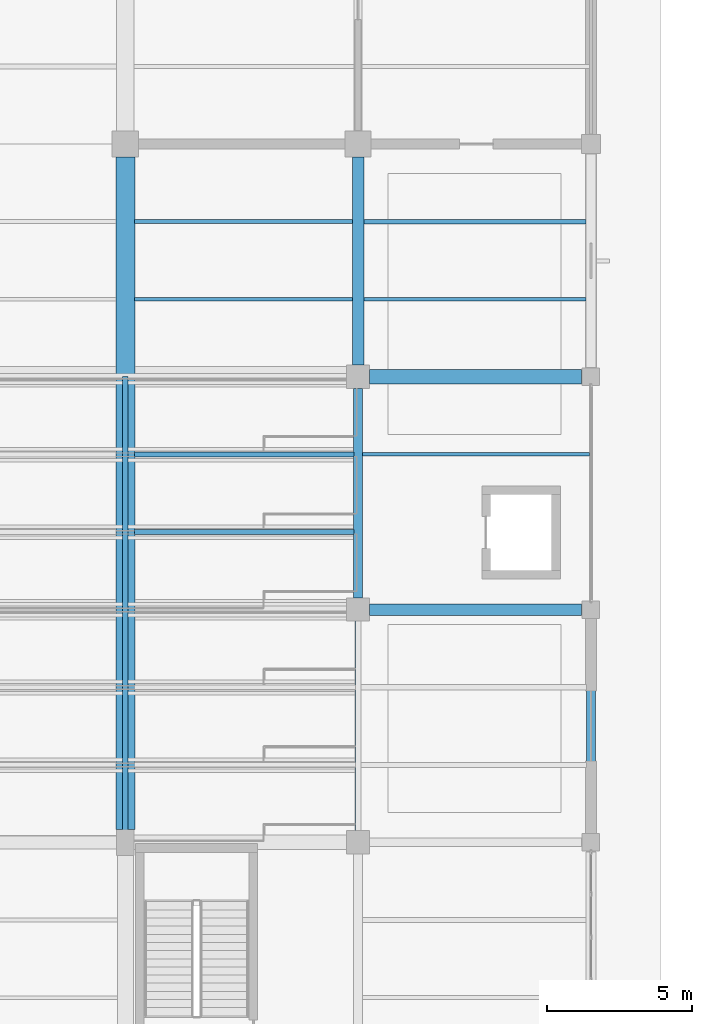
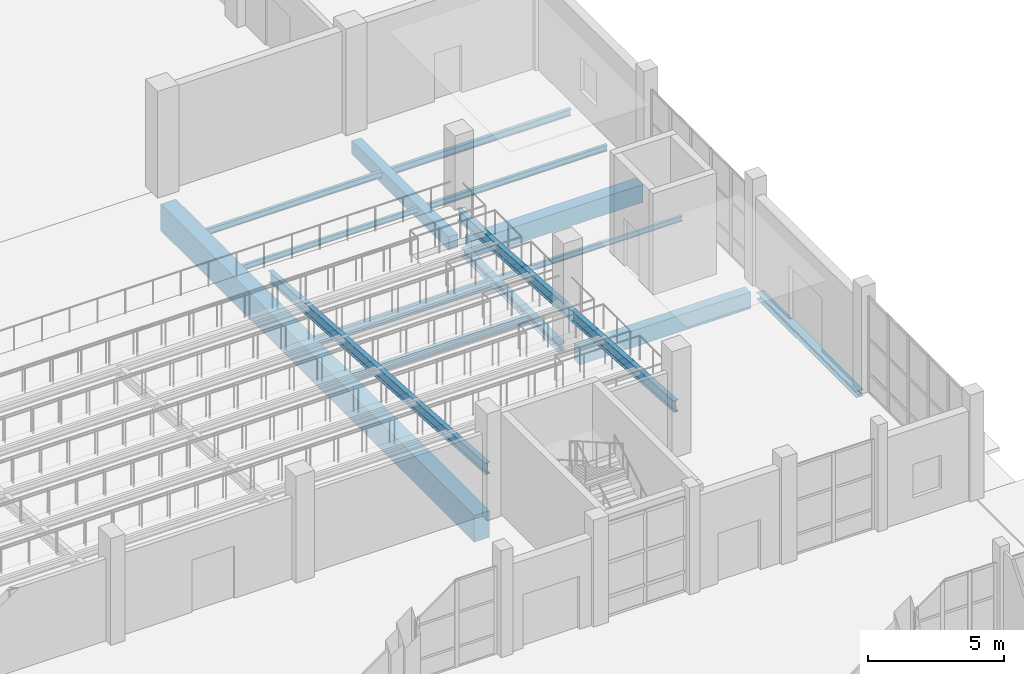
# One storey, part 39 of 156: 15 beams.
"""IFC4 building model written with IfcOpenShell, lengths in metres."""

import ifcopenshell
import ifcopenshell.guid

model = None  # the IFC model being written
_history = None  # IfcOwnerHistory: only IFC2X3 demands one
_inside = {}  # id of a spatial element -> (the spatial element, [elements in it])
_under = {}  # id of a project, library or spatial element -> (it, [spatial elements below it])
_declared = {}  # id of a project -> (the project, [libraries it declares])
_typed = {}  # id of a type object -> (the type object, [elements of that type])
_made_of = {}  # id of a material, layer set ... -> (it, [elements and type objects made of it])


def new_model(schema):
    """Start an empty IFC model of exactly this schema.

    Asked for "IFC4X3", IfcOpenShell would pick the latest addendum, in which some entities
    have other attributes; the version numbers below select the first issue.
    IFC2X3 requires an IfcOwnerHistory on every rooted entity: one is made here for all.
    """
    global model, _history
    if schema == "IFC4X3":
        model = ifcopenshell.file(schema_version=(4, 3, 0, 0))
    else:
        model = ifcopenshell.file(schema=schema)
    _inside.clear()
    _under.clear()
    _declared.clear()
    _typed.clear()
    _made_of.clear()
    _history = None
    if model.schema == "IFC2X3":
        org = make("IfcOrganization", Name="unknown")
        user = make(
            "IfcPersonAndOrganization",
            ThePerson=make("IfcPerson", FamilyName="unknown"),
            TheOrganization=org,
        )
        app = make(
            "IfcApplication",
            ApplicationDeveloper=org,
            Version="unknown",
            ApplicationFullName="unknown",
            ApplicationIdentifier="unknown",
        )
        _history = make(
            "IfcOwnerHistory",
            OwningUser=user,
            OwningApplication=app,
            ChangeAction="ADDED",
            CreationDate=0,
        )
    return model


def make(cls, **values):
    """One entity of the class cls with the attributes given. An attribute that is None is left unset."""
    return model.create_entity(
        cls, **{name: value for name, value in values.items() if value is not None}
    )


def rooted(cls, **values):
    """An entity with a GlobalId (a new one), such as an element, a storey or a relation."""
    return make(cls, GlobalId=ifcopenshell.guid.new(), OwnerHistory=_history, **values)


def si_unit(unit_type, name, prefix=None):
    """IfcSIUnit, for example si_unit("LENGTHUNIT", "METRE", prefix="MILLI")."""
    return make("IfcSIUnit", UnitType=unit_type, Prefix=prefix, Name=name)


def assignment(units):
    """IfcUnitAssignment: the units of a project."""
    return None if units is None else make("IfcUnitAssignment", Units=units)


def point(xyz):
    """IfcCartesianPoint."""
    return None if xyz is None else make("IfcCartesianPoint", Coordinates=xyz)


def direction(xyz):
    """IfcDirection."""
    return None if xyz is None else make("IfcDirection", DirectionRatios=xyz)


def frame(location, z_axis=None, x_axis=None):
    """IfcAxis2Placement3D, a coordinate frame: its origin and axes. An axis left out is left unset."""
    return make(
        "IfcAxis2Placement3D",
        Location=point(location),
        Axis=direction(z_axis),
        RefDirection=direction(x_axis),
    )


def frame_2d(location, x_axis=None):
    """IfcAxis2Placement2D, a coordinate frame in the plane: its origin and x axis."""
    return make(
        "IfcAxis2Placement2D", Location=point(location), RefDirection=direction(x_axis)
    )


def origin():
    """The frame at (0, 0, 0) with its axes left unset."""
    return frame((0.0, 0.0, 0.0))


def origin_2d():
    """The frame at (0, 0) in the plane with its x axis left unset."""
    return frame_2d((0.0, 0.0))


def place(relative_to, where):
    """IfcLocalPlacement: puts the frame where relative to a parent placement (None: the world)."""
    return make(
        "IfcLocalPlacement", PlacementRelTo=relative_to, RelativePlacement=where
    )


def context(
    kind, dimensions, precision=None, world=None, true_north=None, identifier=None
):
    """IfcGeometricRepresentationContext, for example the 3D "Model" context."""
    return make(
        "IfcGeometricRepresentationContext",
        ContextIdentifier=identifier,
        ContextType=kind,
        CoordinateSpaceDimension=dimensions,
        Precision=precision,
        WorldCoordinateSystem=world,
        TrueNorth=true_north,
    )


def subcontext(parent, identifier, kind, view, scale=None):
    """IfcGeometricRepresentationSubContext, for example "Body" below "Model"."""
    return make(
        "IfcGeometricRepresentationSubContext",
        ContextIdentifier=identifier,
        ContextType=kind,
        ParentContext=parent,
        TargetScale=scale,
        TargetView=view,
    )


def project(units=None, contexts=None):
    """IfcProject with its units and contexts."""
    return rooted(
        "IfcProject",
        Name="project",
        RepresentationContexts=contexts,
        UnitsInContext=assignment(units),
    )


def spatial(cls, under=None, at=None, **own):
    """A site, building, storey or space (cls), placed at a placement, below another one or the project."""
    s = rooted(cls, ObjectPlacement=at, **own)
    if under is not None:
        _under.setdefault(under.id(), (under, []))[1].append(s)
    return s


def profile(cls, at=None, kind="AREA", **sizes):
    """A parametric profile (cls). Its sizes go by their IFC names, for example OverallWidth=200.0."""
    return make(cls, ProfileType=kind, Position=at, **sizes)


def rectangle(**sizes):
    """IfcRectangleProfileDef."""
    return profile("IfcRectangleProfileDef", **sizes)


def i_section(**sizes):
    """IfcIShapeProfileDef."""
    return profile("IfcIShapeProfileDef", **sizes)


def extrude(swept, where, along, depth):
    """IfcExtrudedAreaSolid: the profile swept, set in the frame where, extruded along a direction by depth."""
    return make(
        "IfcExtrudedAreaSolid",
        SweptArea=swept,
        Position=where,
        ExtrudedDirection=direction(along),
        Depth=depth,
    )


def shape(context_of_items, identifier, shape_type, items):
    """IfcShapeRepresentation: the items that make up one representation, for example the "Body"."""
    return make(
        "IfcShapeRepresentation",
        ContextOfItems=context_of_items,
        RepresentationIdentifier=identifier,
        RepresentationType=shape_type,
        Items=items,
    )


def material(Name=None, Category=None):
    """IfcMaterial."""
    return make("IfcMaterial", Name=Name, Category=Category)


def material_profile(
    of_material, cross_section, Name=None, Category=None, Priority=None
):
    """IfcMaterialProfile: a cross section and its material."""
    return make(
        "IfcMaterialProfile",
        Name=Name,
        Material=of_material,
        Profile=cross_section,
        Priority=Priority,
        Category=Category,
    )


def profile_set(profiles, Name=None, composite=None):
    """IfcMaterialProfileSet."""
    return make(
        "IfcMaterialProfileSet",
        Name=Name,
        MaterialProfiles=profiles,
        CompositeProfile=composite,
    )


def made_of(thing, what):
    """Note that an element or type object is made of a material, layer set ...; save() writes the relation."""
    if what is not None:
        _made_of.setdefault(what.id(), (what, []))[1].append(thing)
    return thing


def type_object(cls, material=None, **own):
    """A type object (cls), such as IfcWallType, which elements share."""
    return made_of(rooted(cls, **own), material)


def element(
    cls,
    number,
    at=None,
    inside=None,
    cuts=None,
    type_object=None,
    material=None,
    context=None,
    identifier="Body",
    shape_type=None,
    held_by="IfcProductDefinitionShape",
    body=None,
    shapes=None,
    **own,
):
    """One element of the class cls, such as IfcWall. Its Tag is "e" and its number.

    at: its placement. inside: the storey or other place that contains it. cuts: it is an
    opening in that element (IfcRelVoidsElement). A single representation is given by context,
    identifier, shape_type and body (its items); several are given by shapes. held_by: the class
    of the entity that holds the representations. save() writes the other relations.
    """
    e = rooted(cls, Tag="e%d" % number, ObjectPlacement=at, **own)
    if body is not None:
        shapes = [shape(context, identifier, shape_type, body)]
    if shapes is not None:
        e.Representation = make(held_by, Representations=shapes)
    if inside is not None:
        _inside.setdefault(inside.id(), (inside, []))[1].append(e)
    if cuts is not None:
        rooted(
            "IfcRelVoidsElement", RelatingBuildingElement=cuts, RelatedOpeningElement=e
        )
    if type_object is not None:
        _typed.setdefault(type_object.id(), (type_object, []))[1].append(e)
    return made_of(e, material)


def aggregate(whole, parts):
    """IfcRelAggregates: a whole, such as a stair, and the parts it consists of."""
    return rooted("IfcRelAggregates", RelatingObject=whole, RelatedObjects=parts)


def save(model, path):
    """Write the relations noted so far, then the file.

    IfcRelAggregates (storeys below a building ...), IfcRelContainedInSpatialStructure (elements
    in a storey), IfcRelDefinesByType, IfcRelAssociatesMaterial and IfcRelDeclares: one each for
    every whole, place, type object, material and project.
    """
    for whole, parts in _under.values():
        aggregate(whole, parts)
    for where, things in _inside.values():
        rooted(
            "IfcRelContainedInSpatialStructure",
            RelatedElements=things,
            RelatingStructure=where,
        )
    for kind, things in _typed.values():
        rooted("IfcRelDefinesByType", RelatedObjects=things, RelatingType=kind)
    for what, things in _made_of.values():
        rooted("IfcRelAssociatesMaterial", RelatedObjects=things, RelatingMaterial=what)
    for by, libraries in _declared.values():
        rooted("IfcRelDeclares", RelatingContext=by, RelatedDefinitions=libraries)
    model.write(path)


model = new_model("IFC4")

# Units and contexts
model_context = context("Model", 3, precision=1e-05, world=origin(), true_north=direction((0.0, 1.0)))
body_context = subcontext(model_context, "Body", "Model", "MODEL_VIEW")
ifc_project = project(units=[si_unit("LENGTHUNIT", "METRE"), si_unit("AREAUNIT", "SQUARE_METRE"), si_unit("VOLUMEUNIT", "CUBIC_METRE"), si_unit("PLANEANGLEUNIT", "RADIAN"), si_unit("MASSUNIT", "GRAM", prefix="KILO")], contexts=[model_context])

# Site, building, storey
site_placement = place(None, origin())
site = spatial("IfcSite", under=ifc_project, at=site_placement, CompositionType="ELEMENT")
building_placement = place(site_placement, origin())
building = spatial("IfcBuilding", under=site, at=building_placement, Name="Luwemba Playhouse", CompositionType="ELEMENT")
storey_placement = place(building_placement, origin())
storey = spatial("IfcBuildingStorey", under=building, at=storey_placement, Name="L00", CompositionType="ELEMENT", Elevation=0.0)

# Beams
ifc_material_1 = material(Name="Concrete C40/50", Category="concrete")
ifc_material_profile_1 = material_profile(ifc_material_1, rectangle(XDim=0.39990234375, YDim=0.60009765625, at=origin_2d()))
ifc_profile_set_1 = profile_set([ifc_material_profile_1], Name="Concrete C40/50")
beam_type_1 = type_object("IfcBeamType", Name="BM-RB01", PredefinedType="BEAM", material=ifc_profile_set_1)
beam_1_placement = place(storey_placement, frame((44.0, 60.39990234375, -0.60009765625), z_axis=(0.0, 1.0, 0.0), x_axis=(-1.0, 0.0, 0.0)))
element("IfcBeam", 1, at=beam_1_placement, inside=storey, type_object=beam_type_1, Name="L00 transverse girder 0036", PredefinedType="BEAM", context=body_context, shape_type="SweptSolid", body=[
    extrude(rectangle(XDim=0.39990234375, YDim=0.60009765625, at=origin_2d()), origin(), (0.0, 0.0, 1.0), 7.150146484375),
])
ifc_material_profile_2 = material_profile(ifc_material_1, rectangle(XDim=0.39990234375, YDim=0.75, at=origin_2d()))
ifc_profile_set_2 = profile_set([ifc_material_profile_2], Name="Concrete C40/50")
beam_type_2 = type_object("IfcBeamType", Name="BM-RB03", PredefinedType="BEAM", material=ifc_profile_set_2)
beam_2_placement = place(storey_placement, frame((44.39990234375, 52.0, -0.675048828125), z_axis=(1.0, 0.0, 0.0), x_axis=(0.0, 1.0, 0.0)))
element("IfcBeam", 2, at=beam_2_placement, inside=storey, type_object=beam_type_2, Name="L00 grid girder 0015", PredefinedType="BEAM", context=body_context, shape_type="SweptSolid", body=[
    extrude(rectangle(XDim=0.39990234375, YDim=0.75, at=origin_2d()), origin(), (0.0, 0.0, 1.0), 7.275146484375),
])
ifc_material_profile_3 = material_profile(ifc_material_1, rectangle(XDim=0.5, YDim=0.800048828125, at=origin_2d()))
ifc_profile_set_3 = profile_set([ifc_material_profile_3], Name="Concrete C40/50")
beam_type_3 = type_object("IfcBeamType", Name="BM-RB06", PredefinedType="BEAM", material=ifc_profile_set_3)
beam_3_placement = place(storey_placement, frame((44.39990234375, 60.0, -0.699951171875), z_axis=(1.0, 0.0, 0.0), x_axis=(0.0, 1.0, 0.0)))
element("IfcBeam", 3, at=beam_3_placement, inside=storey, type_object=beam_type_3, Name="L00 grid girder 0018", PredefinedType="BEAM", context=body_context, shape_type="SweptSolid", body=[
    extrude(rectangle(XDim=0.5, YDim=0.800048828125, at=origin_2d()), origin(), (0.0, 0.0, 1.0), 7.275146484375),
])
ifc_material_profile_4 = material_profile(ifc_material_1, rectangle(XDim=0.64990234375, YDim=1.199951171875, at=origin_2d()))
ifc_profile_set_4 = profile_set([ifc_material_profile_4], Name="Concrete C40/50")
beam_type_4 = type_object("IfcBeamType", Name="BM-RB11", PredefinedType="BEAM", material=ifc_profile_set_4)
beam_4_placement = place(storey_placement, frame((36.0, 44.449951171875, -0.89990234375), z_axis=(0.0, 1.0, 0.0), x_axis=(-1.0, 0.0, 0.0)))
element("IfcBeam", 4, at=beam_4_placement, inside=storey, type_object=beam_type_4, Name="L00 transverse girder 0032", PredefinedType="BEAM", context=body_context, shape_type="SweptSolid", body=[
    extrude(rectangle(XDim=0.64990234375, YDim=1.199951171875, at=origin_2d()), origin(), (0.0, 0.0, 1.0), 23.10009765625),
])
ifc_material_2 = material(Name="Steel S355", Category="steel")
ifc_material_profile_5 = material_profile(ifc_material_2, i_section(OverallWidth=0.199951171875, OverallDepth=0.5, WebThickness=0.01025390625, FlangeThickness=0.01611328125, FilletRadius=0.02099609375, at=origin_2d()))
ifc_profile_set_5 = profile_set([ifc_material_profile_5], Name="Steel S355")
beam_type_5 = type_object("IfcBeamType", Name="BM-RK1", PredefinedType="USERDEFINED", material=ifc_profile_set_5)
for number, where, z_axis, x_axis, name in (
    (5, (36.0, 44.0, 1.97998046875), (0.0, 0.997887107976, -0.064971684108), (-1.0, 0.0, 0.0), "RAKER girder Stalls 04"),
    (6, (44.0, 44.0, 1.97998046875), (0.0, 0.997887107976, -0.064971684108), (-1.0, 0.0, 0.0), "RAKER girder Stalls 05"),
):
    element("IfcBeam", number, at=place(storey_placement, frame(where, z_axis=z_axis, x_axis=x_axis)), inside=storey, type_object=beam_type_5, Name=name, ObjectType="RAKER", PredefinedType="USERDEFINED", context=body_context, shape_type="SweptSolid", body=[
        extrude(i_section(OverallWidth=0.199951171875, OverallDepth=0.5, WebThickness=0.01025390625, FlangeThickness=0.01611328125, FilletRadius=0.02099609375, at=origin_2d()), origin(), (0.0, 0.0, 1.0), 16.033935546875),
    ])
ifc_material_profile_6 = material_profile(ifc_material_2, i_section(OverallWidth=0.300048828125, OverallDepth=0.360107421875, WebThickness=0.012451171875, FlangeThickness=0.0224609375, FilletRadius=0.027099609375, at=origin_2d()))
ifc_profile_set_6 = profile_set([ifc_material_profile_6], Name="Steel S355")
beam_type_6 = type_object("IfcBeamType", Name="BM-SB09", PredefinedType="BEAM", material=ifc_profile_set_6)
beam_5_placement = place(storey_placement, frame((44.0, 52.39990234375, -0.47998046875), z_axis=(0.0, 1.0, 0.0), x_axis=(-1.0, 0.0, 0.0)))
element("IfcBeam", 7, at=beam_5_placement, inside=storey, type_object=beam_type_6, Name="L00 transverse girder 0035", PredefinedType="BEAM", context=body_context, shape_type="SweptSolid", body=[
    extrude(i_section(OverallWidth=0.300048828125, OverallDepth=0.360107421875, WebThickness=0.012451171875, FlangeThickness=0.0224609375, FilletRadius=0.027099609375, at=origin_2d()), origin(), (0.0, 0.0, 1.0), 7.2001953125),
])
ifc_material_profile_7 = material_profile(ifc_material_2, i_section(OverallWidth=0.1201171875, OverallDepth=0.239990234375, WebThickness=0.006103515625, FlangeThickness=0.009765625, FilletRadius=0.014892578125, at=origin_2d()))
ifc_profile_set_7 = profile_set([ifc_material_profile_7], Name="Steel S355")
beam_type_7 = type_object("IfcBeamType", Name="BM-SJ03", PredefinedType="JOIST", material=ifc_profile_set_7)
beam_6_placement = place(storey_placement, frame((36.321044921875, 62.666748046875, -0.419921875), z_axis=(1.0, 0.0, 0.0), x_axis=(0.0, 1.0, 0.0)))
element("IfcBeam", 8, at=beam_6_placement, inside=storey, type_object=beam_type_7, Name="L00 composite floor joist 0035", PredefinedType="JOIST", context=body_context, shape_type="SweptSolid", body=[
    extrude(i_section(OverallWidth=0.1201171875, OverallDepth=0.239990234375, WebThickness=0.006103515625, FlangeThickness=0.009765625, FilletRadius=0.014892578125, at=origin_2d()), origin(), (0.0, 0.0, 1.0), 7.48291015625),
])
beam_7_placement = place(storey_placement, frame((44.14599609375, 57.333251953125, -0.419921875), z_axis=(1.0, 0.0, 0.0), x_axis=(0.0, 1.0, 0.0)))
element("IfcBeam", 9, at=beam_7_placement, inside=storey, type_object=beam_type_7, Name="L00 composite floor joist 0041", PredefinedType="JOIST", context=body_context, shape_type="SweptSolid", body=[
    extrude(i_section(OverallWidth=0.1201171875, OverallDepth=0.239990234375, WebThickness=0.006103515625, FlangeThickness=0.009765625, FilletRadius=0.014892578125, at=origin_2d()), origin(), (0.0, 0.0, 1.0), 7.80810546875),
])
ifc_material_profile_8 = material_profile(ifc_material_2, i_section(OverallWidth=0.135009765625, OverallDepth=0.27001953125, WebThickness=0.006591796875, FlangeThickness=0.01025390625, FilletRadius=0.014892578125, at=origin_2d()))
ifc_profile_set_8 = profile_set([ifc_material_profile_8], Name="Steel S355")
beam_type_8 = type_object("IfcBeamType", Name="BM-SJ04", PredefinedType="JOIST", material=ifc_profile_set_8)
beam_8_placement = place(storey_placement, frame((36.321044921875, 65.333251953125, -0.43505859375), z_axis=(1.0, 0.0, 0.0), x_axis=(0.0, 1.0, 0.0)))
element("IfcBeam", 10, at=beam_8_placement, inside=storey, type_object=beam_type_8, Name="L00 composite floor joist 0036", PredefinedType="JOIST", context=body_context, shape_type="SweptSolid", body=[
    extrude(i_section(OverallWidth=0.135009765625, OverallDepth=0.27001953125, WebThickness=0.006591796875, FlangeThickness=0.01025390625, FilletRadius=0.014892578125, at=origin_2d()), origin(), (0.0, 0.0, 1.0), 7.48291015625),
])
beam_9_placement = place(storey_placement, frame((44.196044921875, 62.666748046875, -0.43505859375), z_axis=(1.0, 0.0, 0.0), x_axis=(0.0, 1.0, 0.0)))
element("IfcBeam", 11, at=beam_9_placement, inside=storey, type_object=beam_type_8, Name="L00 composite floor joist 0042", PredefinedType="JOIST", context=body_context, shape_type="SweptSolid", body=[
    extrude(i_section(OverallWidth=0.135009765625, OverallDepth=0.27001953125, WebThickness=0.006591796875, FlangeThickness=0.01025390625, FilletRadius=0.014892578125, at=origin_2d()), origin(), (0.0, 0.0, 1.0), 7.633056640625),
])
ifc_material_profile_9 = material_profile(ifc_material_2, i_section(OverallWidth=0.14990234375, OverallDepth=0.300048828125, WebThickness=0.007080078125, FlangeThickness=0.0107421875, FilletRadius=0.014892578125, at=origin_2d()))
ifc_profile_set_9 = profile_set([ifc_material_profile_9], Name="Steel S355")
beam_type_9 = type_object("IfcBeamType", Name="BM-SJ05", PredefinedType="JOIST", material=ifc_profile_set_9)
beam_10_placement = place(storey_placement, frame((44.196044921875, 65.333251953125, -0.449951171875), z_axis=(1.0, 0.0, 0.0), x_axis=(0.0, 1.0, 0.0)))
element("IfcBeam", 12, at=beam_10_placement, inside=storey, type_object=beam_type_9, Name="L00 composite floor joist 0043", PredefinedType="JOIST", context=body_context, shape_type="SweptSolid", body=[
    extrude(i_section(OverallWidth=0.14990234375, OverallDepth=0.300048828125, WebThickness=0.007080078125, FlangeThickness=0.0107421875, FilletRadius=0.014892578125, at=origin_2d()), origin(), (0.0, 0.0, 1.0), 7.633056640625),
])
ifc_material_profile_10 = material_profile(ifc_material_2, i_section(OverallWidth=0.169921875, OverallDepth=0.360107421875, WebThickness=0.008056640625, FlangeThickness=0.0126953125, FilletRadius=0.01806640625, at=origin_2d()))
ifc_profile_set_10 = profile_set([ifc_material_profile_10], Name="Steel S355")
beam_type_10 = type_object("IfcBeamType", Name="BM-SJ07", PredefinedType="JOIST", material=ifc_profile_set_10)
beam_11_placement = place(storey_placement, frame((36.321044921875, 54.666748046875, -0.47998046875), z_axis=(1.0, 0.0, 0.0), x_axis=(0.0, 1.0, 0.0)))
element("IfcBeam", 13, at=beam_11_placement, inside=storey, type_object=beam_type_10, Name="L00 composite floor joist 0033", PredefinedType="JOIST", context=body_context, shape_type="SweptSolid", body=[
    extrude(i_section(OverallWidth=0.169921875, OverallDepth=0.360107421875, WebThickness=0.008056640625, FlangeThickness=0.0126953125, FilletRadius=0.01806640625, at=origin_2d()), origin(), (0.0, 0.0, 1.0), 7.532958984375),
])
ifc_material_profile_11 = material_profile(ifc_material_2, i_section(OverallWidth=0.179931640625, OverallDepth=0.39990234375, WebThickness=0.008544921875, FlangeThickness=0.013427734375, FilletRadius=0.02099609375, at=origin_2d()))
ifc_profile_set_11 = profile_set([ifc_material_profile_11], Name="Steel S355")
beam_type_11 = type_object("IfcBeamType", Name="BM-SJ08", PredefinedType="JOIST", material=ifc_profile_set_11)
beam_12_placement = place(storey_placement, frame((36.321044921875, 57.333251953125, -0.5), z_axis=(1.0, 0.0, 0.0), x_axis=(0.0, 1.0, 0.0)))
element("IfcBeam", 14, at=beam_12_placement, inside=storey, type_object=beam_type_11, Name="L00 composite floor joist 0034", PredefinedType="JOIST", context=body_context, shape_type="SweptSolid", body=[
    extrude(i_section(OverallWidth=0.179931640625, OverallDepth=0.39990234375, WebThickness=0.008544921875, FlangeThickness=0.013427734375, FilletRadius=0.02099609375, at=origin_2d()), origin(), (0.0, 0.0, 1.0), 7.532958984375),
])
ifc_material_profile_12 = material_profile(ifc_material_2, i_section(OverallWidth=0.300048828125, OverallDepth=0.300048828125, WebThickness=0.010986328125, FlangeThickness=0.01904296875, FilletRadius=0.027099609375, at=origin_2d()))
ifc_profile_set_12 = profile_set([ifc_material_profile_12], Name="Steel S355")
beam_type_12 = type_object("IfcBeamType", Name="BM-SSP1", PredefinedType="SPANDREL", material=ifc_profile_set_12)
beam_13_placement = place(storey_placement, frame((52.0, 44.324951171875, -0.449951171875), z_axis=(0.0, 1.0, 0.0), x_axis=(-1.0, 0.0, 0.0)))
element("IfcBeam", 15, at=beam_13_placement, inside=storey, type_object=beam_type_12, Name="L00 transverse girder 0038", PredefinedType="SPANDREL", context=body_context, shape_type="SweptSolid", body=[
    extrude(i_section(OverallWidth=0.300048828125, OverallDepth=0.300048828125, WebThickness=0.010986328125, FlangeThickness=0.01904296875, FilletRadius=0.027099609375, at=origin_2d()), origin(), (0.0, 0.0, 1.0), 7.35009765625),
])

save(model, "model.ifc")
